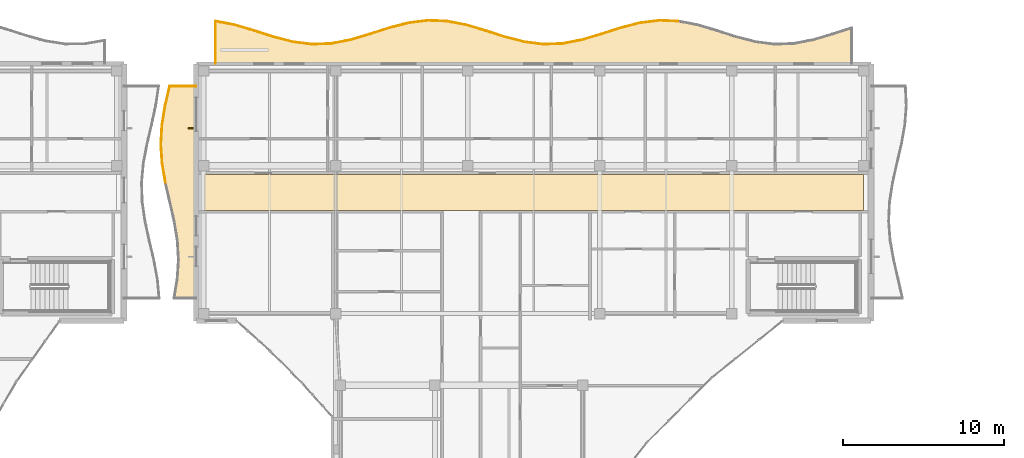
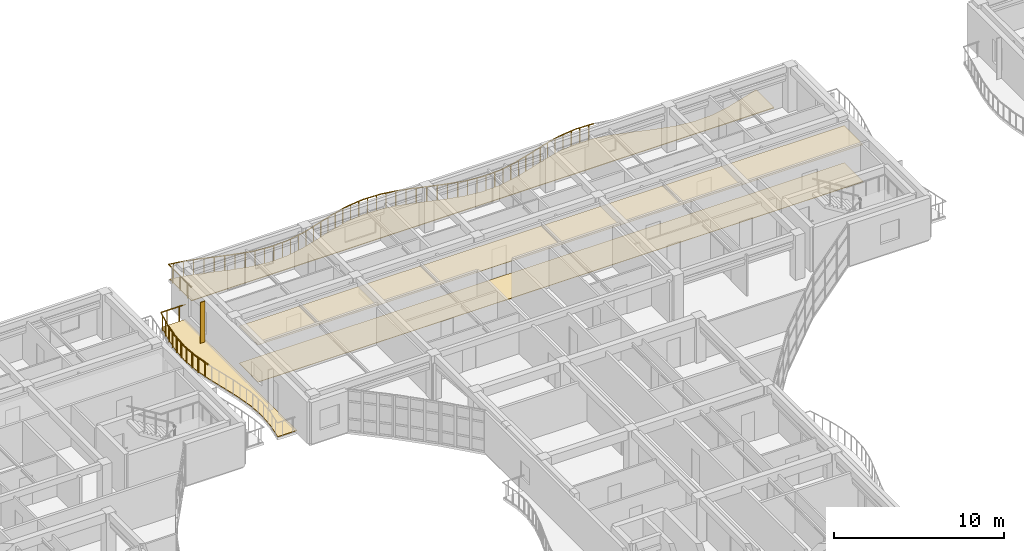
# One storey, part 76 of 89: 31 railings, 4 coverings, 1 shading device.
"""IFC4 building model written with IfcOpenShell, lengths in metres."""

from ifc_helpers import new_model, si_unit, direction, frame, origin, origin_2d, place, context, subcontext, project, spatial, polyline, rectangle, circle, outline, extrude, material, layer, layer_set, type_object, element, save


model = new_model("IFC4")

# Units and contexts
model_context = context("Model", 3, precision=1e-05, world=origin(), true_north=direction((0.0, 1.0)))
body_context = subcontext(model_context, "Body", "Model", "MODEL_VIEW")
ifc_project = project(units=[si_unit("LENGTHUNIT", "METRE"), si_unit("AREAUNIT", "SQUARE_METRE"), si_unit("VOLUMEUNIT", "CUBIC_METRE"), si_unit("PLANEANGLEUNIT", "RADIAN"), si_unit("MASSUNIT", "GRAM", prefix="KILO")], contexts=[model_context])

# Site, building, storey
site_placement = place(None, origin())
site = spatial("IfcSite", under=ifc_project, at=site_placement, CompositionType="ELEMENT")
building_placement = place(site_placement, origin())
building = spatial("IfcBuilding", under=site, at=building_placement, Name="Keldmere Railside Commons", CompositionType="ELEMENT")
storey_placement = place(building_placement, frame((0.0, 0.0, 7.360107421875)))
storey = spatial("IfcBuildingStorey", under=building, at=storey_placement, Name="L02", CompositionType="ELEMENT", Elevation=7.360107421875)

# Railings
ifc_material_1 = material(Name="Steel F-24 (S235)", Category="steel")
railing_type = type_object("IfcRailingType", Name="Balcony & Terrace Steel Balustrade 1100", PredefinedType="BALUSTRADE", material=ifc_material_1)
railing_1_placement = place(storey_placement, frame((40.699951171875, 116.0, 0.0)))
element("IfcRailing", 1, at=railing_1_placement, inside=storey, type_object=railing_type, Name="GR-1 GRD-L02-0919", PredefinedType="BALUSTRADE", context=body_context, shape_type="SweptSolid", body=[
    extrude(circle(Radius=0.02392578125, at=origin_2d()), frame((0.0, 0.0, 1.076171875), z_axis=(0.0, 1.0, 0.0), x_axis=(-1.0, 0.0, 0.0)), (0.0, 0.0, 1.0), 2.646728515625),
    extrude(circle(Radius=0.02099609375, at=origin_2d()), frame((0.0, 0.441162109375, 0.0)), (0.0, 0.0, 1.0), 1.048095703125),
    extrude(circle(Radius=0.02099609375, at=origin_2d()), frame((0.0, 1.3232421875, 0.0)), (0.0, 0.0, 1.0), 1.048095703125),
    extrude(circle(Radius=0.02099609375, at=origin_2d()), frame((0.0, 2.20556640625, 0.0)), (0.0, 0.0, 1.0), 1.048095703125),
])
railing_2_placement = place(storey_placement, frame((40.699951171875, 118.646728515625, 0.0)))
element("IfcRailing", 2, at=railing_2_placement, inside=storey, type_object=railing_type, Name="GR-1 GRD-L02-0920", PredefinedType="BALUSTRADE", context=body_context, shape_type="SweptSolid", body=[
    extrude(circle(Radius=0.02392578125, at=origin_2d()), frame((0.0, 0.0, 1.076171875), z_axis=(0.98179066817, -0.189966007208, 0.0), x_axis=(0.189966007208, 0.98179066817, 0.0)), (0.0, 0.0, 1.0), 1.22216796875),
    extrude(circle(Radius=0.02099609375, at=origin_2d()), frame((0.300048828125, -0.05810546875, 0.0)), (0.0, 0.0, 1.0), 1.048095703125),
    extrude(circle(Radius=0.02099609375, at=origin_2d()), frame((0.89990234375, -0.174072265625, 0.0)), (0.0, 0.0, 1.0), 1.048095703125),
])
railing_3_placement = place(storey_placement, frame((41.89990234375, 118.41455078125, 0.0)))
element("IfcRailing", 3, at=railing_3_placement, inside=storey, type_object=railing_type, Name="GR-1 GRD-L02-0921", PredefinedType="BALUSTRADE", context=body_context, shape_type="SweptSolid", body=[
    extrude(circle(Radius=0.02392578125, at=origin_2d()), frame((0.0, 0.0, 1.076171875), z_axis=(0.958563702607, -0.284878268818, 0.0), x_axis=(0.284878268818, 0.958563702607, 0.0)), (0.0, 0.0, 1.0), 1.252197265625),
    extrude(circle(Radius=0.02099609375, at=origin_2d()), frame((0.300048828125, -0.089111328125, 0.0)), (0.0, 0.0, 1.0), 1.048095703125),
    extrude(circle(Radius=0.02099609375, at=origin_2d()), frame((0.900146484375, -0.267578125, 0.0)), (0.0, 0.0, 1.0), 1.048095703125),
])
railing_4_placement = place(storey_placement, frame((43.10009765625, 118.057861328125, 0.0)))
element("IfcRailing", 4, at=railing_4_placement, inside=storey, type_object=railing_type, Name="GR-1 GRD-L02-0922", PredefinedType="BALUSTRADE", context=body_context, shape_type="SweptSolid", body=[
    extrude(circle(Radius=0.02392578125, at=origin_2d()), frame((0.0, 0.0, 1.076171875), z_axis=(0.952074905922, -0.305864959603, 0.0), x_axis=(0.305864959603, 0.952074905922, 0.0)), (0.0, 0.0, 1.0), 1.26025390625),
    extrude(circle(Radius=0.02099609375, at=origin_2d()), frame((0.300048828125, -0.096435546875, 0.0)), (0.0, 0.0, 1.0), 1.048095703125),
    extrude(circle(Radius=0.02099609375, at=origin_2d()), frame((0.89990234375, -0.2890625, 0.0)), (0.0, 0.0, 1.0), 1.048095703125),
])
railing_5_placement = place(storey_placement, frame((44.300048828125, 117.67236328125, 0.0)))
element("IfcRailing", 5, at=railing_5_placement, inside=storey, type_object=railing_type, Name="GR-1 GRD-L02-0923", PredefinedType="BALUSTRADE", context=body_context, shape_type="SweptSolid", body=[
    extrude(circle(Radius=0.02392578125, at=origin_2d()), frame((0.0, 0.0, 1.076171875), z_axis=(0.96796144939, -0.251098850045, 0.0), x_axis=(0.251098850045, 0.96796144939, 0.0)), (0.0, 0.0, 1.0), 1.23974609375),
    extrude(circle(Radius=0.02099609375, at=origin_2d()), frame((0.300048828125, -0.077880859375, 0.0)), (0.0, 0.0, 1.0), 1.048095703125),
    extrude(circle(Radius=0.02099609375, at=origin_2d()), frame((0.89990234375, -0.2333984375, 0.0)), (0.0, 0.0, 1.0), 1.048095703125),
])
railing_6_placement = place(storey_placement, frame((45.5, 117.361083984375, 0.0)))
element("IfcRailing", 6, at=railing_6_placement, inside=storey, type_object=railing_type, Name="GR-1 GRD-L02-0924", PredefinedType="BALUSTRADE", context=body_context, shape_type="SweptSolid", body=[
    extrude(circle(Radius=0.02392578125, at=origin_2d()), frame((0.0, 0.0, 1.076171875), z_axis=(0.991935749638, -0.12674173973, 0.0), x_axis=(0.12674173973, 0.991935749638, 0.0)), (0.0, 0.0, 1.0), 1.209716796875),
    extrude(circle(Radius=0.02099609375, at=origin_2d()), frame((0.300048828125, -0.038330078125, 0.0)), (0.0, 0.0, 1.0), 1.048095703125),
    extrude(circle(Radius=0.02099609375, at=origin_2d()), frame((0.89990234375, -0.114990234375, 0.0)), (0.0, 0.0, 1.0), 1.048095703125),
])
railing_7_placement = place(storey_placement, frame((46.699951171875, 117.207763671875, 0.0)))
element("IfcRailing", 7, at=railing_7_placement, inside=storey, type_object=railing_type, Name="GR-1 GRD-L02-0925", PredefinedType="BALUSTRADE", context=body_context, shape_type="SweptSolid", body=[
    extrude(circle(Radius=0.02392578125, at=origin_2d()), frame((0.0, 0.0, 1.076171875), z_axis=(0.999277005513, 0.038019287901, 0.0), x_axis=(-0.038019287901, 0.999277005513, 0.0)), (0.0, 0.0, 1.0), 1.200927734375),
    extrude(circle(Radius=0.02099609375, at=origin_2d()), frame((0.300048828125, 0.011474609375, 0.0)), (0.0, 0.0, 1.0), 1.048095703125),
    extrude(circle(Radius=0.02099609375, at=origin_2d()), frame((0.89990234375, 0.0341796875, 0.0)), (0.0, 0.0, 1.0), 1.048095703125),
])
railing_8_placement = place(storey_placement, frame((47.89990234375, 117.25341796875, 0.0)))
element("IfcRailing", 8, at=railing_8_placement, inside=storey, type_object=railing_type, Name="GR-1 GRD-L02-0926", PredefinedType="BALUSTRADE", context=body_context, shape_type="SweptSolid", body=[
    extrude(circle(Radius=0.02392578125, at=origin_2d()), frame((0.0, 0.0, 1.076171875), z_axis=(0.98183509827, 0.189736237461, 0.0), x_axis=(-0.189736237461, 0.98183509827, 0.0)), (0.0, 0.0, 1.0), 1.222412109375),
    extrude(circle(Radius=0.02099609375, at=origin_2d()), frame((0.300048828125, 0.05810546875, 0.0)), (0.0, 0.0, 1.0), 1.048095703125),
    extrude(circle(Radius=0.02099609375, at=origin_2d()), frame((0.900146484375, 0.173828125, 0.0)), (0.0, 0.0, 1.0), 1.048095703125),
])
railing_9_placement = place(storey_placement, frame((49.10009765625, 117.4853515625, 0.0)))
element("IfcRailing", 9, at=railing_9_placement, inside=storey, type_object=railing_type, Name="GR-1 GRD-L02-0927", PredefinedType="BALUSTRADE", context=body_context, shape_type="SweptSolid", body=[
    extrude(circle(Radius=0.02392578125, at=origin_2d()), frame((0.0, 0.0, 1.076171875), z_axis=(0.958547873751, 0.284931524629, 0.0), x_axis=(-0.284931524629, 0.958547873751, 0.0)), (0.0, 0.0, 1.0), 1.251953125),
    extrude(circle(Radius=0.02099609375, at=origin_2d()), frame((0.300048828125, 0.089111328125, 0.0)), (0.0, 0.0, 1.0), 1.048095703125),
    extrude(circle(Radius=0.02099609375, at=origin_2d()), frame((0.89990234375, 0.267578125, 0.0)), (0.0, 0.0, 1.0), 1.048095703125),
])
railing_10_placement = place(storey_placement, frame((50.300048828125, 117.842041015625, 0.0)))
element("IfcRailing", 10, at=railing_10_placement, inside=storey, type_object=railing_type, Name="GR-1 GRD-L02-0928", PredefinedType="BALUSTRADE", context=body_context, shape_type="SweptSolid", body=[
    extrude(circle(Radius=0.02392578125, at=origin_2d()), frame((0.0, 0.0, 1.076171875), z_axis=(0.952074905922, 0.305864959603, 0.0), x_axis=(-0.305864959603, 0.952074905922, 0.0)), (0.0, 0.0, 1.0), 1.26025390625),
    extrude(circle(Radius=0.02099609375, at=origin_2d()), frame((0.300048828125, 0.096435546875, 0.0)), (0.0, 0.0, 1.0), 1.048095703125),
    extrude(circle(Radius=0.02099609375, at=origin_2d()), frame((0.89990234375, 0.2890625, 0.0)), (0.0, 0.0, 1.0), 1.048095703125),
])
railing_11_placement = place(storey_placement, frame((51.5, 118.2275390625, 0.0)))
element("IfcRailing", 11, at=railing_11_placement, inside=storey, type_object=railing_type, Name="GR-1 GRD-L02-0929", PredefinedType="BALUSTRADE", context=body_context, shape_type="SweptSolid", body=[
    extrude(circle(Radius=0.02392578125, at=origin_2d()), frame((0.0, 0.0, 1.076171875), z_axis=(0.96796144939, 0.251098850045, 0.0), x_axis=(-0.251098850045, 0.96796144939, 0.0)), (0.0, 0.0, 1.0), 1.23974609375),
    extrude(circle(Radius=0.02099609375, at=origin_2d()), frame((0.300048828125, 0.077880859375, 0.0)), (0.0, 0.0, 1.0), 1.048095703125),
    extrude(circle(Radius=0.02099609375, at=origin_2d()), frame((0.89990234375, 0.2333984375, 0.0)), (0.0, 0.0, 1.0), 1.048095703125),
])
railing_12_placement = place(storey_placement, frame((52.699951171875, 118.538818359375, 0.0)))
element("IfcRailing", 12, at=railing_12_placement, inside=storey, type_object=railing_type, Name="GR-1 GRD-L02-0930", PredefinedType="BALUSTRADE", context=body_context, shape_type="SweptSolid", body=[
    extrude(circle(Radius=0.02392578125, at=origin_2d()), frame((0.0, 0.0, 1.076171875), z_axis=(0.991935749638, 0.12674173973, 0.0), x_axis=(-0.12674173973, 0.991935749638, 0.0)), (0.0, 0.0, 1.0), 1.209716796875),
    extrude(circle(Radius=0.02099609375, at=origin_2d()), frame((0.300048828125, 0.038330078125, 0.0)), (0.0, 0.0, 1.0), 1.048095703125),
    extrude(circle(Radius=0.02099609375, at=origin_2d()), frame((0.89990234375, 0.114990234375, 0.0)), (0.0, 0.0, 1.0), 1.048095703125),
])
railing_13_placement = place(storey_placement, frame((53.89990234375, 118.692138671875, 0.0)))
element("IfcRailing", 13, at=railing_13_placement, inside=storey, type_object=railing_type, Name="GR-1 GRD-L02-0931", PredefinedType="BALUSTRADE", context=body_context, shape_type="SweptSolid", body=[
    extrude(circle(Radius=0.02392578125, at=origin_2d()), frame((0.0, 0.0, 1.076171875), z_axis=(0.999284999791, -0.037808586241, 0.0), x_axis=(0.037808586241, 0.999284999791, 0.0)), (0.0, 0.0, 1.0), 1.201171875),
    extrude(circle(Radius=0.02099609375, at=origin_2d()), frame((0.300048828125, -0.01123046875, 0.0)), (0.0, 0.0, 1.0), 1.048095703125),
    extrude(circle(Radius=0.02099609375, at=origin_2d()), frame((0.900146484375, -0.0341796875, 0.0)), (0.0, 0.0, 1.0), 1.048095703125),
])
railing_14_placement = place(storey_placement, frame((55.10009765625, 118.646728515625, 0.0)))
element("IfcRailing", 14, at=railing_14_placement, inside=storey, type_object=railing_type, Name="GR-1 GRD-L02-0932", PredefinedType="BALUSTRADE", context=body_context, shape_type="SweptSolid", body=[
    extrude(circle(Radius=0.02392578125, at=origin_2d()), frame((0.0, 0.0, 1.076171875), z_axis=(0.98179066817, -0.189966007208, 0.0), x_axis=(0.189966007208, 0.98179066817, 0.0)), (0.0, 0.0, 1.0), 1.22216796875),
    extrude(circle(Radius=0.02099609375, at=origin_2d()), frame((0.300048828125, -0.05810546875, 0.0)), (0.0, 0.0, 1.0), 1.048095703125),
    extrude(circle(Radius=0.02099609375, at=origin_2d()), frame((0.89990234375, -0.174072265625, 0.0)), (0.0, 0.0, 1.0), 1.048095703125),
])
railing_15_placement = place(storey_placement, frame((56.300048828125, 118.41455078125, 0.0)))
element("IfcRailing", 15, at=railing_15_placement, inside=storey, type_object=railing_type, Name="GR-1 GRD-L02-0933", PredefinedType="BALUSTRADE", context=body_context, shape_type="SweptSolid", body=[
    extrude(circle(Radius=0.02392578125, at=origin_2d()), frame((0.0, 0.0, 1.076171875), z_axis=(0.958547873751, -0.284931524629, 0.0), x_axis=(0.284931524629, 0.958547873751, 0.0)), (0.0, 0.0, 1.0), 1.251953125),
    extrude(circle(Radius=0.02099609375, at=origin_2d()), frame((0.300048828125, -0.089111328125, 0.0)), (0.0, 0.0, 1.0), 1.048095703125),
    extrude(circle(Radius=0.02099609375, at=origin_2d()), frame((0.89990234375, -0.267578125, 0.0)), (0.0, 0.0, 1.0), 1.048095703125),
])
railing_16_placement = place(storey_placement, frame((57.5, 118.057861328125, 0.0)))
element("IfcRailing", 16, at=railing_16_placement, inside=storey, type_object=railing_type, Name="GR-1 GRD-L02-0934", PredefinedType="BALUSTRADE", context=body_context, shape_type="SweptSolid", body=[
    extrude(circle(Radius=0.02392578125, at=origin_2d()), frame((0.0, 0.0, 1.076171875), z_axis=(0.952074905922, -0.305864959603, 0.0), x_axis=(0.305864959603, 0.952074905922, 0.0)), (0.0, 0.0, 1.0), 1.26025390625),
    extrude(circle(Radius=0.02099609375, at=origin_2d()), frame((0.300048828125, -0.096435546875, 0.0)), (0.0, 0.0, 1.0), 1.048095703125),
    extrude(circle(Radius=0.02099609375, at=origin_2d()), frame((0.89990234375, -0.2890625, 0.0)), (0.0, 0.0, 1.0), 1.048095703125),
])
railing_17_placement = place(storey_placement, frame((58.699951171875, 117.67236328125, 0.0)))
element("IfcRailing", 17, at=railing_17_placement, inside=storey, type_object=railing_type, Name="GR-1 GRD-L02-0935", PredefinedType="BALUSTRADE", context=body_context, shape_type="SweptSolid", body=[
    extrude(circle(Radius=0.02392578125, at=origin_2d()), frame((0.0, 0.0, 1.076171875), z_axis=(0.96796144939, -0.251098850045, 0.0), x_axis=(0.251098850045, 0.96796144939, 0.0)), (0.0, 0.0, 1.0), 1.23974609375),
    extrude(circle(Radius=0.02099609375, at=origin_2d()), frame((0.300048828125, -0.077880859375, 0.0)), (0.0, 0.0, 1.0), 1.048095703125),
    extrude(circle(Radius=0.02099609375, at=origin_2d()), frame((0.89990234375, -0.2333984375, 0.0)), (0.0, 0.0, 1.0), 1.048095703125),
])
railing_18_placement = place(storey_placement, frame((59.89990234375, 117.361083984375, 0.0)))
element("IfcRailing", 18, at=railing_18_placement, inside=storey, type_object=railing_type, Name="GR-1 GRD-L02-0936", PredefinedType="BALUSTRADE", context=body_context, shape_type="SweptSolid", body=[
    extrude(circle(Radius=0.02392578125, at=origin_2d()), frame((0.0, 0.0, 1.076171875), z_axis=(0.991938990563, -0.126716372269, 0.0), x_axis=(0.126716372269, 0.991938990563, 0.0)), (0.0, 0.0, 1.0), 1.2099609375),
    extrude(circle(Radius=0.02099609375, at=origin_2d()), frame((0.300048828125, -0.038330078125, 0.0)), (0.0, 0.0, 1.0), 1.048095703125),
    extrude(circle(Radius=0.02099609375, at=origin_2d()), frame((0.900146484375, -0.114990234375, 0.0)), (0.0, 0.0, 1.0), 1.048095703125),
])
railing_19_placement = place(storey_placement, frame((61.10009765625, 117.207763671875, 0.0)))
element("IfcRailing", 19, at=railing_19_placement, inside=storey, type_object=railing_type, Name="GR-1 GRD-L02-0937", PredefinedType="BALUSTRADE", context=body_context, shape_type="SweptSolid", body=[
    extrude(circle(Radius=0.02392578125, at=origin_2d()), frame((0.0, 0.0, 1.076171875), z_axis=(0.999277005513, 0.038019287901, 0.0), x_axis=(-0.038019287901, 0.999277005513, 0.0)), (0.0, 0.0, 1.0), 1.200927734375),
    extrude(circle(Radius=0.02099609375, at=origin_2d()), frame((0.300048828125, 0.011474609375, 0.0)), (0.0, 0.0, 1.0), 1.048095703125),
    extrude(circle(Radius=0.02099609375, at=origin_2d()), frame((0.89990234375, 0.0341796875, 0.0)), (0.0, 0.0, 1.0), 1.048095703125),
])
railing_20_placement = place(storey_placement, frame((62.300048828125, 117.25341796875, 0.0)))
element("IfcRailing", 20, at=railing_20_placement, inside=storey, type_object=railing_type, Name="GR-1 GRD-L02-0938", PredefinedType="BALUSTRADE", context=body_context, shape_type="SweptSolid", body=[
    extrude(circle(Radius=0.02392578125, at=origin_2d()), frame((0.0, 0.0, 1.076171875), z_axis=(0.981827906182, 0.189773450839, 0.0), x_axis=(-0.189773450839, 0.981827906182, 0.0)), (0.0, 0.0, 1.0), 1.22216796875),
    extrude(circle(Radius=0.02099609375, at=origin_2d()), frame((0.300048828125, 0.05810546875, 0.0)), (0.0, 0.0, 1.0), 1.048095703125),
    extrude(circle(Radius=0.02099609375, at=origin_2d()), frame((0.89990234375, 0.173828125, 0.0)), (0.0, 0.0, 1.0), 1.048095703125),
])
railing_21_placement = place(storey_placement, frame((63.5, 117.4853515625, 0.0)))
element("IfcRailing", 21, at=railing_21_placement, inside=storey, type_object=railing_type, Name="GR-1 GRD-L02-0939", PredefinedType="BALUSTRADE", context=body_context, shape_type="SweptSolid", body=[
    extrude(circle(Radius=0.02392578125, at=origin_2d()), frame((0.0, 0.0, 1.076171875), z_axis=(0.958547873751, 0.284931524629, 0.0), x_axis=(-0.284931524629, 0.958547873751, 0.0)), (0.0, 0.0, 1.0), 1.251953125),
    extrude(circle(Radius=0.02099609375, at=origin_2d()), frame((0.300048828125, 0.089111328125, 0.0)), (0.0, 0.0, 1.0), 1.048095703125),
    extrude(circle(Radius=0.02099609375, at=origin_2d()), frame((0.89990234375, 0.267578125, 0.0)), (0.0, 0.0, 1.0), 1.048095703125),
])
railing_22_placement = place(storey_placement, frame((64.699951171875, 117.842041015625, 0.0)))
element("IfcRailing", 22, at=railing_22_placement, inside=storey, type_object=railing_type, Name="GR-1 GRD-L02-0940", PredefinedType="BALUSTRADE", context=body_context, shape_type="SweptSolid", body=[
    extrude(circle(Radius=0.02392578125, at=origin_2d()), frame((0.0, 0.0, 1.076171875), z_axis=(0.952074905922, 0.305864959603, 0.0), x_axis=(-0.305864959603, 0.952074905922, 0.0)), (0.0, 0.0, 1.0), 1.26025390625),
    extrude(circle(Radius=0.02099609375, at=origin_2d()), frame((0.300048828125, 0.096435546875, 0.0)), (0.0, 0.0, 1.0), 1.048095703125),
    extrude(circle(Radius=0.02099609375, at=origin_2d()), frame((0.89990234375, 0.2890625, 0.0)), (0.0, 0.0, 1.0), 1.048095703125),
])
railing_23_placement = place(storey_placement, frame((65.89990234375, 118.2275390625, 0.0)))
element("IfcRailing", 23, at=railing_23_placement, inside=storey, type_object=railing_type, Name="GR-1 GRD-L02-0941", PredefinedType="BALUSTRADE", context=body_context, shape_type="SweptSolid", body=[
    extrude(circle(Radius=0.02392578125, at=origin_2d()), frame((0.0, 0.0, 1.076171875), z_axis=(0.967973863049, 0.251050991739, 0.0), x_axis=(-0.251050991739, 0.967973863049, 0.0)), (0.0, 0.0, 1.0), 1.239990234375),
    extrude(circle(Radius=0.02099609375, at=origin_2d()), frame((0.300048828125, 0.077880859375, 0.0)), (0.0, 0.0, 1.0), 1.048095703125),
    extrude(circle(Radius=0.02099609375, at=origin_2d()), frame((0.900146484375, 0.2333984375, 0.0)), (0.0, 0.0, 1.0), 1.048095703125),
])
railing_24_placement = place(storey_placement, frame((67.10009765625, 118.538818359375, 0.0)))
element("IfcRailing", 24, at=railing_24_placement, inside=storey, type_object=railing_type, Name="GR-1 GRD-L02-0942", PredefinedType="BALUSTRADE", context=body_context, shape_type="SweptSolid", body=[
    extrude(circle(Radius=0.02392578125, at=origin_2d()), frame((0.0, 0.0, 1.076171875), z_axis=(0.991935749638, 0.12674173973, 0.0), x_axis=(-0.12674173973, 0.991935749638, 0.0)), (0.0, 0.0, 1.0), 1.209716796875),
    extrude(circle(Radius=0.02099609375, at=origin_2d()), frame((0.300048828125, 0.038330078125, 0.0)), (0.0, 0.0, 1.0), 1.048095703125),
    extrude(circle(Radius=0.02099609375, at=origin_2d()), frame((0.89990234375, 0.114990234375, 0.0)), (0.0, 0.0, 1.0), 1.048095703125),
])
railing_25_placement = place(storey_placement, frame((68.300048828125, 118.692138671875, 0.0)))
element("IfcRailing", 25, at=railing_25_placement, inside=storey, type_object=railing_type, Name="GR-1 GRD-L02-0943", PredefinedType="BALUSTRADE", context=body_context, shape_type="SweptSolid", body=[
    extrude(circle(Radius=0.02392578125, at=origin_2d()), frame((0.0, 0.0, 1.076171875), z_axis=(0.999284709127, -0.037816267731, 0.0), x_axis=(0.037816267731, 0.999284709127, 0.0)), (0.0, 0.0, 1.0), 1.200927734375),
    extrude(circle(Radius=0.02099609375, at=origin_2d()), frame((0.300048828125, -0.01123046875, 0.0)), (0.0, 0.0, 1.0), 1.048095703125),
    extrude(circle(Radius=0.02099609375, at=origin_2d()), frame((0.89990234375, -0.0341796875, 0.0)), (0.0, 0.0, 1.0), 1.048095703125),
])
railing_26_placement = place(storey_placement, frame((37.582275390625, 108.60009765625, 0.0)))
element("IfcRailing", 26, at=railing_26_placement, inside=storey, type_object=railing_type, Name="GR-1 GRD-L02-1029", PredefinedType="BALUSTRADE", context=body_context, shape_type="SweptSolid", body=[
    extrude(circle(Radius=0.02392578125, at=origin_2d()), frame((0.0, 0.0, 1.076171875), z_axis=(-0.167878146517, 0.985807754038, 0.0), x_axis=(-0.985807754038, -0.167878146517, 0.0)), (0.0, 0.0, 1.0), 1.21728515625),
    extrude(circle(Radius=0.02099609375, at=origin_2d()), frame((-0.051025390625, 0.300048828125, 0.0)), (0.0, 0.0, 1.0), 1.048095703125),
    extrude(circle(Radius=0.02099609375, at=origin_2d()), frame((-0.1533203125, 0.89990234375, 0.0)), (0.0, 0.0, 1.0), 1.048095703125),
])
railing_27_placement = place(storey_placement, frame((37.3779296875, 109.800048828125, 0.0)))
element("IfcRailing", 27, at=railing_27_placement, inside=storey, type_object=railing_type, Name="GR-1 GRD-L02-1030", PredefinedType="BALUSTRADE", context=body_context, shape_type="SweptSolid", body=[
    extrude(circle(Radius=0.02392578125, at=origin_2d()), frame((0.0, 0.0, 1.076171875), z_axis=(-0.064767086508, 0.99790040811, 0.0), x_axis=(-0.99790040811, -0.064767086508, 0.0)), (0.0, 0.0, 1.0), 1.202392578125),
    extrude(circle(Radius=0.02099609375, at=origin_2d()), frame((-0.01953125, 0.300048828125, 0.0)), (0.0, 0.0, 1.0), 1.048095703125),
    extrude(circle(Radius=0.02099609375, at=origin_2d()), frame((-0.058349609375, 0.89990234375, 0.0)), (0.0, 0.0, 1.0), 1.048095703125),
])
railing_28_placement = place(storey_placement, frame((37.300048828125, 111.0, 0.0)))
element("IfcRailing", 28, at=railing_28_placement, inside=storey, type_object=railing_type, Name="GR-1 GRD-L02-1031", PredefinedType="BALUSTRADE", context=body_context, shape_type="SweptSolid", body=[
    extrude(circle(Radius=0.02392578125, at=origin_2d()), frame((0.0, 0.0, 1.076171875), z_axis=(0.057888518877, 0.998323053617, 0.0), x_axis=(-0.998323053617, 0.057888518877, 0.0)), (0.0, 0.0, 1.0), 1.201904296875),
    extrude(circle(Radius=0.02099609375, at=origin_2d()), frame((0.017333984375, 0.300048828125, 0.0)), (0.0, 0.0, 1.0), 1.048095703125),
    extrude(circle(Radius=0.02099609375, at=origin_2d()), frame((0.05224609375, 0.89990234375, 0.0)), (0.0, 0.0, 1.0), 1.048095703125),
])
railing_29_placement = place(storey_placement, frame((37.36962890625, 112.199951171875, 0.0)))
element("IfcRailing", 29, at=railing_29_placement, inside=storey, type_object=railing_type, Name="GR-1 GRD-L02-1032", PredefinedType="BALUSTRADE", context=body_context, shape_type="SweptSolid", body=[
    extrude(circle(Radius=0.02392578125, at=origin_2d()), frame((0.0, 0.0, 1.076171875), z_axis=(0.162999082621, 0.986626220544, 0.0), x_axis=(-0.986626220544, 0.162999082621, 0.0)), (0.0, 0.0, 1.0), 1.21630859375),
    extrude(circle(Radius=0.02099609375, at=origin_2d()), frame((0.049560546875, 0.300048828125, 0.0)), (0.0, 0.0, 1.0), 1.048095703125),
    extrude(circle(Radius=0.02099609375, at=origin_2d()), frame((0.148681640625, 0.89990234375, 0.0)), (0.0, 0.0, 1.0), 1.048095703125),
])
railing_30_placement = place(storey_placement, frame((37.56787109375, 113.39990234375, 0.0)))
element("IfcRailing", 30, at=railing_30_placement, inside=storey, type_object=railing_type, Name="GR-1 GRD-L02-1033", PredefinedType="BALUSTRADE", context=body_context, shape_type="SweptSolid", body=[
    extrude(circle(Radius=0.02392578125, at=origin_2d()), frame((0.0, 0.0, 1.076171875), z_axis=(0.222323955489, 0.974972850297, 0.0), x_axis=(-0.974972850297, 0.222323955489, 0.0)), (0.0, 0.0, 1.0), 1.23095703125),
    extrude(circle(Radius=0.02099609375, at=origin_2d()), frame((0.068359375, 0.300048828125, 0.0)), (0.0, 0.0, 1.0), 1.048095703125),
    extrude(circle(Radius=0.02099609375, at=origin_2d()), frame((0.205322265625, 0.900146484375, 0.0)), (0.0, 0.0, 1.0), 1.048095703125),
])
railing_31_placement = place(storey_placement, frame((37.841552734375, 114.60009765625, 0.0)))
element("IfcRailing", 31, at=railing_31_placement, inside=storey, type_object=railing_type, Name="GR-1 GRD-L02-1034", PredefinedType="BALUSTRADE", context=body_context, shape_type="SweptSolid", body=[
    extrude(circle(Radius=0.02392578125, at=origin_2d()), frame((0.0, 0.0, 1.076171875), z_axis=(1.0, 0.0, 0.0), x_axis=(0.0, 1.0, 0.0)), (0.0, 0.0, 1.0), 1.658447265625),
    extrude(circle(Radius=0.02099609375, at=origin_2d()), frame((0.41455078125, 0.0, 0.0)), (0.0, 0.0, 1.0), 1.048095703125),
    extrude(circle(Radius=0.02099609375, at=origin_2d()), frame((1.243896484375, 0.0, 0.0)), (0.0, 0.0, 1.0), 1.048095703125),
])

# Shading device
ifc_layer_1 = layer(ifc_material_1, 0.06005859375, Name="East-West Vertical Brise-Soleil Fin 320x60")
ifc_layer_set_1 = layer_set([ifc_layer_1], Name="Steel F-24 (S235)")
shading_device_type = type_object("IfcShadingDeviceType", Name="East-West Vertical Brise-Soleil Fin 320x60", PredefinedType="USERDEFINED", material=ifc_layer_set_1)
shading_device_placement = place(storey_placement, frame((39.162109375, 112.0, 0.0), z_axis=(0.0, 0.0, 1.0), x_axis=(1.0, 0.0, 0.0)))
element("IfcShadingDevice", 32, at=shading_device_placement, inside=storey, type_object=shading_device_type, Name="FIN-1 Solar Fin 010", ObjectType="FIN", PredefinedType="USERDEFINED", context=body_context, shape_type="SweptSolid", body=[
    extrude(rectangle(XDim=0.320068359375, YDim=0.06005859375, at=origin_2d()), origin(), (0.0, 0.0, 1.0), 2.97998046875),
])

# Coverings
ifc_material_2 = material(Name="Polished Terrazzo Tile Flooring", Category="concrete")
ifc_layer_2 = layer(ifc_material_2, 0.030029296875, Name="Polished Terrazzo Floor Finish 30")
ifc_layer_set_2 = layer_set([ifc_layer_2], Name="Polished Terrazzo Tile Flooring")
covering_type_1 = type_object("IfcCoveringType", Name="Polished Terrazzo Floor Finish 30", PredefinedType="FLOORING", material=ifc_layer_set_2)
covering_1_placement = place(storey_placement, origin())
element("IfcCovering", 33, at=covering_1_placement, inside=storey, type_object=covering_type_1, Name="FLR-1 Corridor Terrazzo C-L02", PredefinedType="FLOORING", context=body_context, shape_type="SweptSolid", body=[
    extrude(outline(polyline([(39.97998046875, 106.8798828125), (81.02001953125, 106.8798828125), (81.02001953125, 109.1201171875), (39.97998046875, 109.1201171875), (39.97998046875, 106.8798828125)])), origin(), (0.0, 0.0, 1.0), 0.02978515625),
])
ifc_material_3 = material(Name="Acoustic Mineral-Fibre Gypsum Ceiling", Category="gypsum")
ifc_layer_3 = layer(ifc_material_3, 0.02490234375, Name="Suspended Acoustic Ceiling 25")
ifc_layer_set_3 = layer_set([ifc_layer_3], Name="Acoustic Mineral-Fibre Gypsum Ceiling")
covering_type_2 = type_object("IfcCoveringType", Name="Suspended Acoustic Ceiling 25", PredefinedType="CEILING", material=ifc_layer_set_3)
covering_2_placement = place(storey_placement, frame((0.0, 0.0, 2.664794921875)))
element("IfcCovering", 34, at=covering_2_placement, inside=storey, type_object=covering_type_2, Name="CLG-1 Corridor Ceiling C-L02", PredefinedType="CEILING", context=body_context, shape_type="SweptSolid", body=[
    extrude(outline(polyline([(39.97998046875, 106.8798828125), (81.02001953125, 106.8798828125), (81.02001953125, 109.1201171875), (39.97998046875, 109.1201171875), (39.97998046875, 106.8798828125)])), origin(), (0.0, 0.0, 1.0), 0.025146484375),
])
ifc_material_4 = material(Name="White Precast Concrete C35/45", Category="concrete")
ifc_layer_4 = layer(ifc_material_4, 0.044921875, Name="White Architectural Balcony Ribbon Cladding 45")
ifc_layer_set_4 = layer_set([ifc_layer_4], Name="White Precast Concrete C35/45")
covering_type_3 = type_object("IfcCoveringType", Name="White Architectural Balcony Ribbon Cladding 45", PredefinedType="FLOORING", material=ifc_layer_set_4)
covering_3_placement = place(storey_placement, origin())
element("IfcCovering", 35, at=covering_3_placement, inside=storey, type_object=covering_type_3, Name="CLG-WB C L02 N White Balcony Ribbon", PredefinedType="FLOORING", context=body_context, shape_type="SweptSolid", body=[
    extrude(outline(polyline([(80.260009765625, 116.0400390625), (80.260009765625, 118.172607421875), (79.1123046875, 117.803955078125), (79.111328125, 117.8037109375), (77.911376953125, 117.447021484375), (77.90771484375, 117.446044921875), (76.70751953125, 117.214111328125), (76.70458984375, 117.213623046875), (76.701416015625, 117.21337890625), (75.50146484375, 117.167724609375), (75.498291015625, 117.167724609375), (75.494873046875, 117.168212890625), (74.294921875, 117.321533203125), (74.2900390625, 117.322509765625), (73.090087890625, 117.6337890625), (73.087890625, 117.63427734375), (71.88818359375, 118.019775390625), (70.6904296875, 118.375732421875), (69.495361328125, 118.606689453125), (68.3017578125, 118.652099609375), (67.107666015625, 118.49951171875), (65.9111328125, 118.189208984375), (64.712158203125, 117.803955078125), (64.71142578125, 117.8037109375), (63.511474609375, 117.447021484375), (63.507568359375, 117.446044921875), (62.3076171875, 117.214111328125), (62.3046875, 117.213623046875), (62.301513671875, 117.21337890625), (61.1015625, 117.167724609375), (61.09814453125, 117.167724609375), (61.094970703125, 117.168212890625), (59.89501953125, 117.321533203125), (59.889892578125, 117.322509765625), (58.68994140625, 117.6337890625), (58.687744140625, 117.63427734375), (57.48828125, 118.019775390625), (56.29052734375, 118.375732421875), (55.095458984375, 118.606689453125), (53.90185546875, 118.652099609375), (52.70751953125, 118.49951171875), (51.510986328125, 118.189208984375), (50.312255859375, 117.803955078125), (50.311279296875, 117.8037109375), (49.111328125, 117.447021484375), (49.107666015625, 117.446044921875), (47.90771484375, 117.214111328125), (47.904541015625, 117.213623046875), (47.901611328125, 117.21337890625), (46.701416015625, 117.167724609375), (46.6982421875, 117.167724609375), (46.69482421875, 117.168212890625), (45.494873046875, 117.321533203125), (45.489990234375, 117.322509765625), (44.2900390625, 117.6337890625), (44.287841796875, 117.63427734375), (43.088134765625, 118.019775390625), (41.890380859375, 118.375732421875), (40.739990234375, 118.59814453125), (40.739990234375, 116.0400390625), (80.260009765625, 116.0400390625)])), origin(), (0.0, 0.0, 1.0), 0.044921875),
])
covering_4_placement = place(storey_placement, origin())
element("IfcCovering", 36, at=covering_4_placement, inside=storey, type_object=covering_type_3, Name="CLG-WB C L02 WW White Balcony Ribbon", PredefinedType="FLOORING", context=body_context, shape_type="SweptSolid", body=[
    extrude(outline(polyline([(39.4599609375, 114.56005859375), (37.87353515625, 114.56005859375), (37.607177734375, 113.392333984375), (37.409423828125, 112.195556640625), (37.340087890625, 111.0), (37.417724609375, 109.8046875), (37.62158203125, 108.60791015625), (37.8974609375, 107.408935546875), (37.8974609375, 107.408935546875), (38.171142578125, 106.208984375), (38.171630859375, 106.20654296875), (38.369873046875, 105.006591796875), (38.370361328125, 105.002197265625), (38.439697265625, 103.80224609375), (38.439697265625, 103.79736328125), (38.362060546875, 102.597412109375), (38.361572265625, 102.59326171875), (38.1650390625, 101.43994140625), (39.4599609375, 101.43994140625), (39.4599609375, 114.56005859375)])), origin(), (0.0, 0.0, 1.0), 0.044921875),
])

save(model, "model.ifc")
